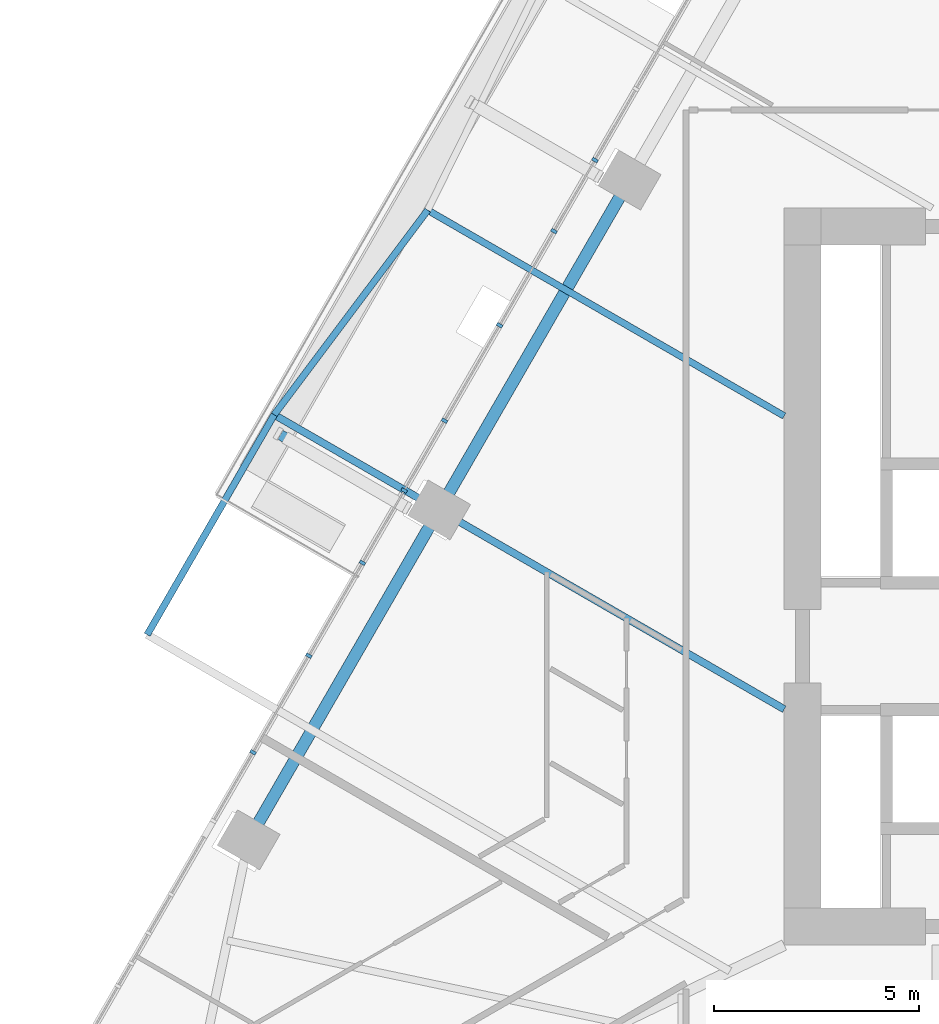
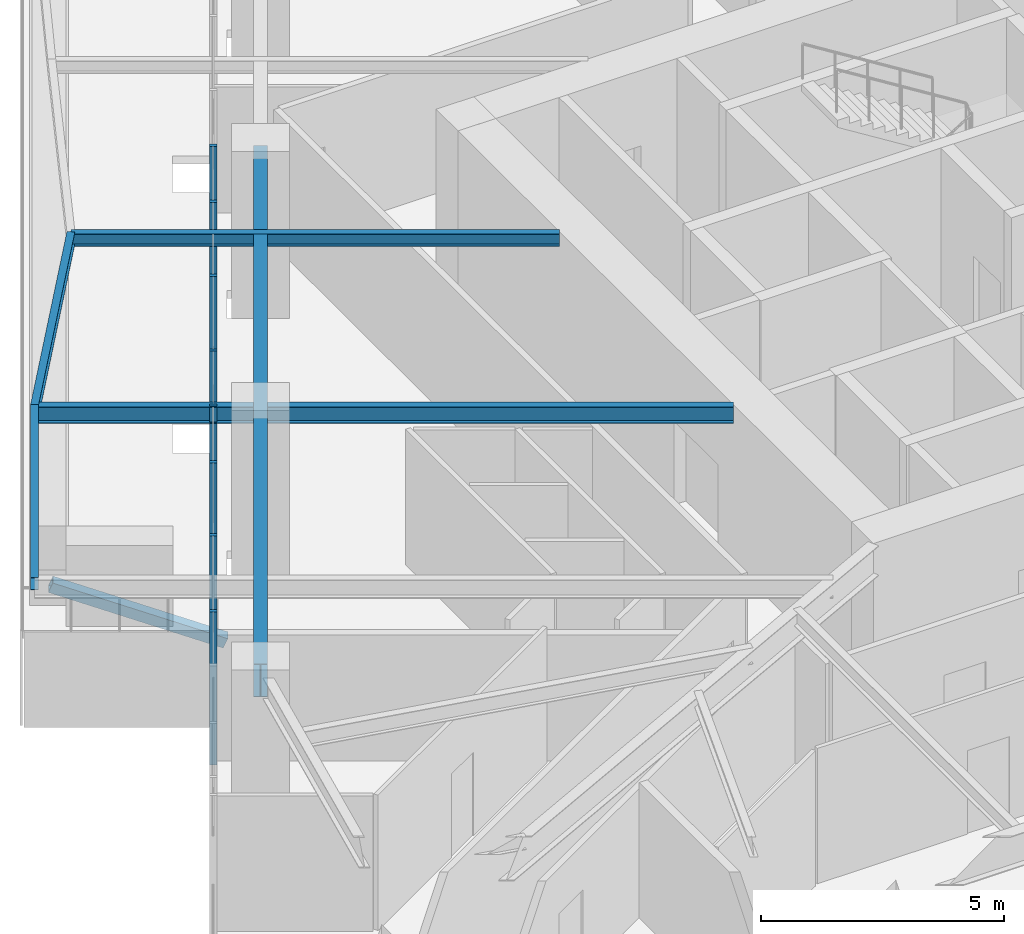
# One storey, part 4 of 26: 9 members, 5 beams, 1 element without a shape of its own.
"""IFC4 building model written with IfcOpenShell, lengths in metres."""

from ifc_helpers import new_model, si_unit, direction, frame, origin, origin_2d, place, context, subcontext, project, spatial, rectangle, hollow_rectangle, i_section, extrude, material, layer, layer_set, material_profile, profile_set, type_object, element, aggregate, save


model = new_model("IFC4")

# Units and contexts
model_context = context("Model", 3, precision=1e-05, world=origin(), true_north=direction((0.0, 1.0)))
body_context = subcontext(model_context, "Body", "Model", "MODEL_VIEW")
ifc_project = project(units=[si_unit("LENGTHUNIT", "METRE"), si_unit("AREAUNIT", "SQUARE_METRE"), si_unit("VOLUMEUNIT", "CUBIC_METRE"), si_unit("PLANEANGLEUNIT", "RADIAN"), si_unit("MASSUNIT", "GRAM", prefix="KILO")], contexts=[model_context])

# Site, building, storey
site_placement = place(None, origin())
site = spatial("IfcSite", under=ifc_project, at=site_placement, CompositionType="ELEMENT")
building_placement = place(site_placement, origin())
building = spatial("IfcBuilding", under=site, at=building_placement, Name="Firuza Gate Tower and Library", CompositionType="ELEMENT")
storey_placement = place(building_placement, frame((0.0, 0.0, 115.60009765625)))
storey = spatial("IfcBuildingStorey", under=building, at=storey_placement, Name="L26", CompositionType="ELEMENT", Elevation=115.60009765625)

# Curtain wall, members
ifc_material_1 = material(Name="Aluminium 6063-T6", Category="aluminium")
ifc_layer = layer(ifc_material_1, 0.14990234375)
ifc_layer_set = layer_set([ifc_layer], Name="Unitised curtain wall, offices")
curtain_wall_type = type_object("IfcCurtainWallType", Name="Unitised curtain wall, offices", PredefinedType="NOTDEFINED", material=ifc_layer_set)
curtain_wall_placement = place(storey_placement, origin())
curtain_wall = element("IfcCurtainWall", 1, at=curtain_wall_placement, inside=storey, type_object=curtain_wall_type, Name="CW1 L26 W face", PredefinedType="NOTDEFINED")
ifc_material_2 = material(Name="Aluminium 6063-T6", Category="aluminium")
ifc_material_profile_1 = material_profile(ifc_material_2, rectangle(XDim=0.14990234375, YDim=0.080078125, at=origin_2d()))
ifc_profile_set_1 = profile_set([ifc_material_profile_1], Name="Aluminium 6063-T6")
member_type_1 = type_object("IfcMemberType", Name="Curtain wall mullion 80x150", PredefinedType="MULLION", material=ifc_profile_set_1)
member_1_placement = place(storey_placement, frame((57.37744140625, 85.17431640625, 0.14990234375), z_axis=(0.0, 0.0, 1.0), x_axis=(0.866025403784, -0.5, 0.0)))
member_1 = element("IfcMember", 2, at=member_1_placement, type_object=member_type_1, Name="Mullion", PredefinedType="MULLION", context=body_context, shape_type="SweptSolid", body=[
    extrude(rectangle(XDim=0.14990234375, YDim=0.080078125, at=origin_2d()), origin(), (0.0, 0.0, 1.0), 3.85009765625),
])
member_2_placement = place(storey_placement, frame((55.047607421875, 81.138916015625, 0.14990234375), z_axis=(0.0, 0.0, 1.0), x_axis=(0.866025403784, -0.5, 0.0)))
member_2 = element("IfcMember", 3, at=member_2_placement, type_object=member_type_1, Name="Mullion", PredefinedType="MULLION", context=body_context, shape_type="SweptSolid", body=[
    extrude(rectangle(XDim=0.14990234375, YDim=0.080078125, at=origin_2d()), origin(), (0.0, 0.0, 1.0), 3.85009765625),
])
member_3_placement = place(storey_placement, frame((52.7177734375, 77.103515625, 0.14990234375), z_axis=(0.0, 0.0, 1.0), x_axis=(0.866025403784, -0.5, 0.0)))
member_3 = element("IfcMember", 4, at=member_3_placement, type_object=member_type_1, Name="Mullion", PredefinedType="MULLION", context=body_context, shape_type="SweptSolid", body=[
    extrude(rectangle(XDim=0.14990234375, YDim=0.080078125, at=origin_2d()), origin(), (0.0, 0.0, 1.0), 3.85009765625),
])
member_4_placement = place(storey_placement, frame((50.387939453125, 73.068115234375, 0.14990234375), z_axis=(0.0, 0.0, 1.0), x_axis=(0.866025403784, -0.5, 0.0)))
member_4 = element("IfcMember", 5, at=member_4_placement, type_object=member_type_1, Name="Mullion", PredefinedType="MULLION", context=body_context, shape_type="SweptSolid", body=[
    extrude(rectangle(XDim=0.14990234375, YDim=0.080078125, at=origin_2d()), origin(), (0.0, 0.0, 1.0), 3.85009765625),
])
member_5_placement = place(storey_placement, frame((56.375244140625, 83.4384765625, 0.14990234375), z_axis=(0.0, 0.0, 1.0), x_axis=(0.866025403784, -0.5, 0.0)))
member_5 = element("IfcMember", 6, at=member_5_placement, type_object=member_type_1, Name="Mullion", PredefinedType="MULLION", context=body_context, shape_type="SweptSolid", body=[
    extrude(rectangle(XDim=0.14990234375, YDim=0.080078125, at=origin_2d()), origin(), (0.0, 0.0, 1.0), 3.85009765625),
])
member_6_placement = place(storey_placement, frame((53.70263671875, 78.80908203125, 0.14990234375), z_axis=(0.0, 0.0, 1.0), x_axis=(0.866025403784, -0.5, 0.0)))
member_6 = element("IfcMember", 7, at=member_6_placement, type_object=member_type_1, Name="Mullion", PredefinedType="MULLION", context=body_context, shape_type="SweptSolid", body=[
    extrude(rectangle(XDim=0.14990234375, YDim=0.080078125, at=origin_2d()), origin(), (0.0, 0.0, 1.0), 3.85009765625),
])
member_7_placement = place(storey_placement, frame((51.6982421875, 75.337646484375, 0.14990234375), z_axis=(0.0, 0.0, 1.0), x_axis=(0.866025403784, -0.5, 0.0)))
member_7 = element("IfcMember", 8, at=member_7_placement, type_object=member_type_1, Name="Mullion", PredefinedType="MULLION", context=body_context, shape_type="SweptSolid", body=[
    extrude(rectangle(XDim=0.14990234375, YDim=0.080078125, at=origin_2d()), origin(), (0.0, 0.0, 1.0), 3.85009765625),
])
member_8_placement = place(storey_placement, frame((49.025390625, 70.708251953125, 0.14990234375), z_axis=(0.0, 0.0, 1.0), x_axis=(0.866025403784, -0.5, 0.0)))
member_8 = element("IfcMember", 9, at=member_8_placement, type_object=member_type_1, Name="Mullion", PredefinedType="MULLION", context=body_context, shape_type="SweptSolid", body=[
    extrude(rectangle(XDim=0.14990234375, YDim=0.080078125, at=origin_2d()), origin(), (0.0, 0.0, 1.0), 3.85009765625),
])
aggregate(curtain_wall, [member_1, member_2, member_3, member_4, member_5, member_6, member_7, member_8])

# Member
ifc_material_3 = material(Name="Steel S355", Category="steel")
ifc_material_profile_2 = material_profile(ifc_material_3, hollow_rectangle(XDim=0.25390625, YDim=0.25390625, WallThickness=0.01171875, at=origin_2d()))
ifc_profile_set_2 = profile_set([ifc_material_profile_2], Name="Steel S355")
member_type_2 = type_object("IfcMemberType", Name="HSS254x254x13 Tray strut", PredefinedType="BRACE", material=ifc_profile_set_2)
member_9_placement = place(storey_placement, frame((52.77099609375, 76.68603515625, -1.670166015625), z_axis=(-0.807122458648, 0.466007352202, 0.362478253747), x_axis=(-0.500012057535, -0.866018442252, 0.0)))
element("IfcMember", 10, at=member_9_placement, inside=storey, type_object=member_type_2, Name="Tray strut L26 col:L25:W4", PredefinedType="BRACE", context=body_context, shape_type="SweptSolid", body=[
    extrude(hollow_rectangle(XDim=0.25390625, YDim=0.25390625, WallThickness=0.01171875, at=origin_2d()), origin(), (0.0, 0.0, 1.0), 3.86279296875),
])

# Beams
ifc_material_4 = material(Name="Steel S355", Category="steel")
ifc_material_profile_3 = material_profile(ifc_material_4, i_section(OverallWidth=0.1650390625, OverallDepth=0.31005859375, WebThickness=0.005859375, FlangeThickness=0.009765625, at=origin_2d()))
ifc_profile_set_3 = profile_set([ifc_material_profile_3], Name="Steel S355")
beam_type_1 = type_object("IfcBeamType", Name="W310x39 Floor beam", PredefinedType="JOIST", material=ifc_profile_set_3)
beam_1_placement = place(storey_placement, frame((53.29150390625, 83.951904296875, 3.844970703125), z_axis=(0.866026287951, -0.499998468575, 0.0), x_axis=(0.499998468575, 0.866026287951, 0.0)))
element("IfcBeam", 11, at=beam_1_placement, inside=storey, type_object=beam_type_1, Name="Floor beam L26 s83", PredefinedType="JOIST", context=body_context, shape_type="SweptSolid", body=[
    extrude(i_section(OverallWidth=0.1650390625, OverallDepth=0.31005859375, WebThickness=0.005859375, FlangeThickness=0.009765625, at=origin_2d()), origin(), (0.0, 0.0, 1.0), 10.0556640625),
])
beam_2_placement = place(storey_placement, frame((53.29150390625, 83.951904296875, 3.844970703125), z_axis=(-0.600037509011, -0.799971866868, 0.0), x_axis=(0.799971866868, -0.600037509011, 0.0)))
element("IfcBeam", 12, at=beam_2_placement, inside=storey, type_object=beam_type_1, Name="Tray edge beam L26 s83-s84", PredefinedType="JOIST", context=body_context, shape_type="SweptSolid", body=[
    extrude(i_section(OverallWidth=0.1650390625, OverallDepth=0.31005859375, WebThickness=0.005859375, FlangeThickness=0.009765625, at=origin_2d()), origin(), (0.0, 0.0, 1.0), 6.248291015625),
])
beam_3_placement = place(storey_placement, frame((49.542236328125, 78.953369140625, 3.844970703125), z_axis=(-0.499999547685, -0.866025664929, 0.0), x_axis=(0.866025664929, -0.499999547685, 0.0)))
element("IfcBeam", 13, at=beam_3_placement, inside=storey, type_object=beam_type_1, Name="Tray edge beam L26 s84-s85", PredefinedType="JOIST", context=body_context, shape_type="SweptSolid", body=[
    extrude(i_section(OverallWidth=0.1650390625, OverallDepth=0.31005859375, WebThickness=0.005859375, FlangeThickness=0.009765625, at=origin_2d()), origin(), (0.0, 0.0, 1.0), 6.203125),
])
ifc_material_5 = material(Name="Steel S355", Category="steel")
ifc_material_profile_4 = material_profile(ifc_material_5, i_section(OverallWidth=0.177978515625, OverallDepth=0.406982421875, WebThickness=0.0078125, FlangeThickness=0.0126953125, at=origin_2d()))
ifc_profile_set_4 = profile_set([ifc_material_profile_4], Name="Steel S355")
beam_type_2 = type_object("IfcBeamType", Name="W410x60 Floor beam", PredefinedType="JOIST", material=ifc_profile_set_4)
beam_4_placement = place(storey_placement, frame((49.542236328125, 78.953369140625, 3.79638671875), z_axis=(0.866028726915, -0.499994244124, 0.0), x_axis=(0.499994244124, 0.866028726915, 0.0)))
element("IfcBeam", 14, at=beam_4_placement, inside=storey, type_object=beam_type_2, Name="Floor beam L26 s84", PredefinedType="JOIST", context=body_context, shape_type="SweptSolid", body=[
    extrude(i_section(OverallWidth=0.177978515625, OverallDepth=0.406982421875, WebThickness=0.0078125, FlangeThickness=0.0126953125, at=origin_2d()), origin(), (0.0, 0.0, 1.0), 14.385009765625),
])
ifc_material_6 = material(Name="Steel S355", Category="steel")
ifc_material_profile_5 = material_profile(ifc_material_6, i_section(OverallWidth=0.2919921875, OverallDepth=0.8349609375, WebThickness=0.013916015625, FlangeThickness=0.018798828125, at=origin_2d()))
ifc_profile_set_5 = profile_set([ifc_material_profile_5], Name="Steel S355")
beam_type_3 = type_object("IfcBeamType", Name="W840x176 Edge beam", PredefinedType="SPANDREL", material=ifc_profile_set_5)
beam_5_placement = place(storey_placement, frame((58.221923828125, 84.686767578125, 3.58251953125), z_axis=(-0.500007864632, -0.86602086309, 0.0), x_axis=(0.86602086309, -0.500007864632, 0.0)))
element("IfcBeam", 15, at=beam_5_placement, inside=storey, type_object=beam_type_3, Name="Edge beam L26 e82", PredefinedType="SPANDREL", context=body_context, shape_type="SweptSolid", body=[
    extrude(i_section(OverallWidth=0.2919921875, OverallDepth=0.8349609375, WebThickness=0.013916015625, FlangeThickness=0.018798828125, at=origin_2d()), origin(), (0.0, 0.0, 1.0), 18.610107421875),
])

save(model, "model.ifc")
